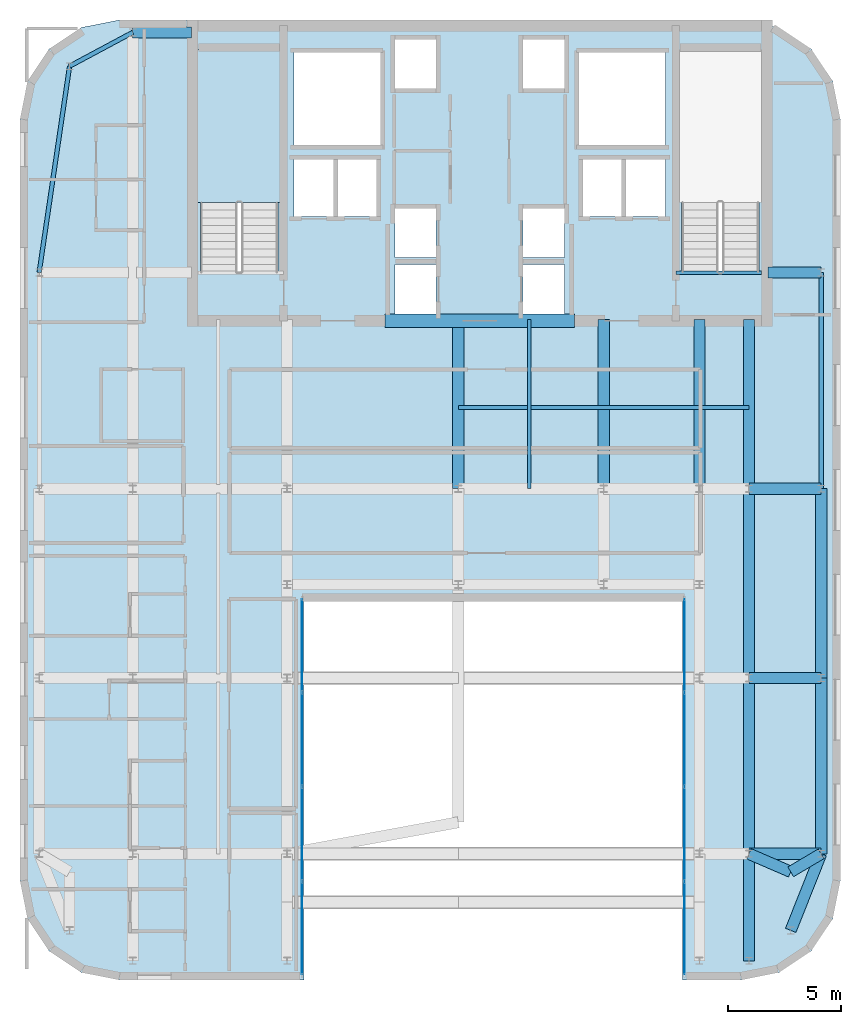
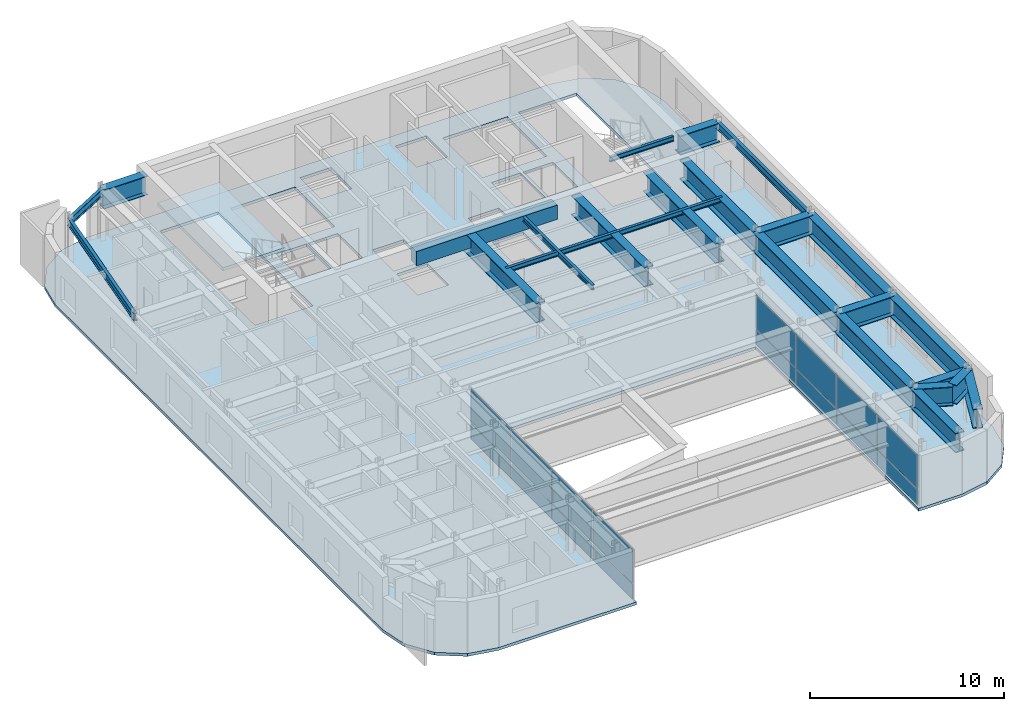
# One storey, part 15 of 21: 24 beams, 16 plates, 2 slabs, 3 elements without a shape of their own.
"""IFC4 building model written with IfcOpenShell, lengths in metres."""

import ifcopenshell
import ifcopenshell.guid

model = None  # the IFC model being written
_history = None  # IfcOwnerHistory: only IFC2X3 demands one
_inside = {}  # id of a spatial element -> (the spatial element, [elements in it])
_under = {}  # id of a project, library or spatial element -> (it, [spatial elements below it])
_declared = {}  # id of a project -> (the project, [libraries it declares])
_typed = {}  # id of a type object -> (the type object, [elements of that type])
_made_of = {}  # id of a material, layer set ... -> (it, [elements and type objects made of it])


def new_model(schema):
    """Start an empty IFC model of exactly this schema.

    Asked for "IFC4X3", IfcOpenShell would pick the latest addendum, in which some entities
    have other attributes; the version numbers below select the first issue.
    IFC2X3 requires an IfcOwnerHistory on every rooted entity: one is made here for all.
    """
    global model, _history
    if schema == "IFC4X3":
        model = ifcopenshell.file(schema_version=(4, 3, 0, 0))
    else:
        model = ifcopenshell.file(schema=schema)
    _inside.clear()
    _under.clear()
    _declared.clear()
    _typed.clear()
    _made_of.clear()
    _history = None
    if model.schema == "IFC2X3":
        org = make("IfcOrganization", Name="unknown")
        user = make(
            "IfcPersonAndOrganization",
            ThePerson=make("IfcPerson", FamilyName="unknown"),
            TheOrganization=org,
        )
        app = make(
            "IfcApplication",
            ApplicationDeveloper=org,
            Version="unknown",
            ApplicationFullName="unknown",
            ApplicationIdentifier="unknown",
        )
        _history = make(
            "IfcOwnerHistory",
            OwningUser=user,
            OwningApplication=app,
            ChangeAction="ADDED",
            CreationDate=0,
        )
    return model


def make(cls, **values):
    """One entity of the class cls with the attributes given. An attribute that is None is left unset."""
    return model.create_entity(
        cls, **{name: value for name, value in values.items() if value is not None}
    )


def rooted(cls, **values):
    """An entity with a GlobalId (a new one), such as an element, a storey or a relation."""
    return make(cls, GlobalId=ifcopenshell.guid.new(), OwnerHistory=_history, **values)


def si_unit(unit_type, name, prefix=None):
    """IfcSIUnit, for example si_unit("LENGTHUNIT", "METRE", prefix="MILLI")."""
    return make("IfcSIUnit", UnitType=unit_type, Prefix=prefix, Name=name)


def assignment(units):
    """IfcUnitAssignment: the units of a project."""
    return None if units is None else make("IfcUnitAssignment", Units=units)


def point(xyz):
    """IfcCartesianPoint."""
    return None if xyz is None else make("IfcCartesianPoint", Coordinates=xyz)


def direction(xyz):
    """IfcDirection."""
    return None if xyz is None else make("IfcDirection", DirectionRatios=xyz)


def frame(location, z_axis=None, x_axis=None):
    """IfcAxis2Placement3D, a coordinate frame: its origin and axes. An axis left out is left unset."""
    return make(
        "IfcAxis2Placement3D",
        Location=point(location),
        Axis=direction(z_axis),
        RefDirection=direction(x_axis),
    )


def frame_2d(location, x_axis=None):
    """IfcAxis2Placement2D, a coordinate frame in the plane: its origin and x axis."""
    return make(
        "IfcAxis2Placement2D", Location=point(location), RefDirection=direction(x_axis)
    )


def origin():
    """The frame at (0, 0, 0) with its axes left unset."""
    return frame((0.0, 0.0, 0.0))


def origin_2d():
    """The frame at (0, 0) in the plane with its x axis left unset."""
    return frame_2d((0.0, 0.0))


def place(relative_to, where):
    """IfcLocalPlacement: puts the frame where relative to a parent placement (None: the world)."""
    return make(
        "IfcLocalPlacement", PlacementRelTo=relative_to, RelativePlacement=where
    )


def context(
    kind, dimensions, precision=None, world=None, true_north=None, identifier=None
):
    """IfcGeometricRepresentationContext, for example the 3D "Model" context."""
    return make(
        "IfcGeometricRepresentationContext",
        ContextIdentifier=identifier,
        ContextType=kind,
        CoordinateSpaceDimension=dimensions,
        Precision=precision,
        WorldCoordinateSystem=world,
        TrueNorth=true_north,
    )


def subcontext(parent, identifier, kind, view, scale=None):
    """IfcGeometricRepresentationSubContext, for example "Body" below "Model"."""
    return make(
        "IfcGeometricRepresentationSubContext",
        ContextIdentifier=identifier,
        ContextType=kind,
        ParentContext=parent,
        TargetScale=scale,
        TargetView=view,
    )


def project(units=None, contexts=None):
    """IfcProject with its units and contexts."""
    return rooted(
        "IfcProject",
        Name="project",
        RepresentationContexts=contexts,
        UnitsInContext=assignment(units),
    )


def spatial(cls, under=None, at=None, **own):
    """A site, building, storey or space (cls), placed at a placement, below another one or the project."""
    s = rooted(cls, ObjectPlacement=at, **own)
    if under is not None:
        _under.setdefault(under.id(), (under, []))[1].append(s)
    return s


def polyline(points):
    """IfcPolyline through the points."""
    return make("IfcPolyline", Points=[point(p) for p in points])


def profile(cls, at=None, kind="AREA", **sizes):
    """A parametric profile (cls). Its sizes go by their IFC names, for example OverallWidth=200.0."""
    return make(cls, ProfileType=kind, Position=at, **sizes)


def rectangle(**sizes):
    """IfcRectangleProfileDef."""
    return profile("IfcRectangleProfileDef", **sizes)


def i_section(**sizes):
    """IfcIShapeProfileDef."""
    return profile("IfcIShapeProfileDef", **sizes)


def outline(outer, holes=None, kind="AREA"):
    """IfcArbitraryClosedProfileDef: a profile drawn as a closed curve; with holes, ...WithVoids."""
    if holes is None:
        return make("IfcArbitraryClosedProfileDef", ProfileType=kind, OuterCurve=outer)
    return make(
        "IfcArbitraryProfileDefWithVoids",
        ProfileType=kind,
        OuterCurve=outer,
        InnerCurves=holes,
    )


def extrude(swept, where, along, depth):
    """IfcExtrudedAreaSolid: the profile swept, set in the frame where, extruded along a direction by depth."""
    return make(
        "IfcExtrudedAreaSolid",
        SweptArea=swept,
        Position=where,
        ExtrudedDirection=direction(along),
        Depth=depth,
    )


def shape(context_of_items, identifier, shape_type, items):
    """IfcShapeRepresentation: the items that make up one representation, for example the "Body"."""
    return make(
        "IfcShapeRepresentation",
        ContextOfItems=context_of_items,
        RepresentationIdentifier=identifier,
        RepresentationType=shape_type,
        Items=items,
    )


def source(mapping_origin, context_of_items, identifier, shape_type, items):
    """IfcRepresentationMap: a shape defined once, which mapped items show again and again."""
    return make(
        "IfcRepresentationMap",
        MappingOrigin=mapping_origin,
        MappedRepresentation=shape(context_of_items, identifier, shape_type, items),
    )


def transform(
    local_origin,
    x_axis=None,
    y_axis=None,
    z_axis=None,
    scale=None,
    scale2=None,
    scale3=None,
    uniform=True,
):
    """IfcCartesianTransformationOperator3D, or its non-uniform kind. x_axis, y_axis, z_axis: its Axis1, 2, 3."""
    if uniform:
        return make(
            "IfcCartesianTransformationOperator3D",
            Axis1=direction(x_axis),
            Axis2=direction(y_axis),
            LocalOrigin=point(local_origin),
            Scale=scale,
            Axis3=direction(z_axis),
        )
    return make(
        "IfcCartesianTransformationOperator3DnonUniform",
        Axis1=direction(x_axis),
        Axis2=direction(y_axis),
        LocalOrigin=point(local_origin),
        Scale=scale,
        Axis3=direction(z_axis),
        Scale2=scale2,
        Scale3=scale3,
    )


def mapped(mapping_source, mapping_target):
    """IfcMappedItem: shows the shape of a source again, moved by a transform."""
    return make(
        "IfcMappedItem", MappingSource=mapping_source, MappingTarget=mapping_target
    )


def material(Name=None, Category=None):
    """IfcMaterial."""
    return make("IfcMaterial", Name=Name, Category=Category)


def layer(
    of_material, thickness, ventilated=None, Name=None, Category=None, Priority=None
):
    """IfcMaterialLayer: one layer of a wall or slab, of a material (None: an air gap)."""
    return make(
        "IfcMaterialLayer",
        Material=of_material,
        LayerThickness=thickness,
        IsVentilated=ventilated,
        Name=Name,
        Category=Category,
        Priority=Priority,
    )


def layer_set(layers, Name=None):
    """IfcMaterialLayerSet."""
    return make("IfcMaterialLayerSet", MaterialLayers=layers, LayerSetName=Name)


def material_profile(
    of_material, cross_section, Name=None, Category=None, Priority=None
):
    """IfcMaterialProfile: a cross section and its material."""
    return make(
        "IfcMaterialProfile",
        Name=Name,
        Material=of_material,
        Profile=cross_section,
        Priority=Priority,
        Category=Category,
    )


def profile_set(profiles, Name=None, composite=None):
    """IfcMaterialProfileSet."""
    return make(
        "IfcMaterialProfileSet",
        Name=Name,
        MaterialProfiles=profiles,
        CompositeProfile=composite,
    )


def made_of(thing, what):
    """Note that an element or type object is made of a material, layer set ...; save() writes the relation."""
    if what is not None:
        _made_of.setdefault(what.id(), (what, []))[1].append(thing)
    return thing


def type_object(cls, material=None, **own):
    """A type object (cls), such as IfcWallType, which elements share."""
    return made_of(rooted(cls, **own), material)


def type_shapes(of_type, sources):
    """Give a type object the sources (RepresentationMaps) that its elements show as mapped items."""
    of_type.RepresentationMaps = sources


def element(
    cls,
    number,
    at=None,
    inside=None,
    cuts=None,
    type_object=None,
    material=None,
    context=None,
    identifier="Body",
    shape_type=None,
    held_by="IfcProductDefinitionShape",
    body=None,
    shapes=None,
    **own,
):
    """One element of the class cls, such as IfcWall. Its Tag is "e" and its number.

    at: its placement. inside: the storey or other place that contains it. cuts: it is an
    opening in that element (IfcRelVoidsElement). A single representation is given by context,
    identifier, shape_type and body (its items); several are given by shapes. held_by: the class
    of the entity that holds the representations. save() writes the other relations.
    """
    e = rooted(cls, Tag="e%d" % number, ObjectPlacement=at, **own)
    if body is not None:
        shapes = [shape(context, identifier, shape_type, body)]
    if shapes is not None:
        e.Representation = make(held_by, Representations=shapes)
    if inside is not None:
        _inside.setdefault(inside.id(), (inside, []))[1].append(e)
    if cuts is not None:
        rooted(
            "IfcRelVoidsElement", RelatingBuildingElement=cuts, RelatedOpeningElement=e
        )
    if type_object is not None:
        _typed.setdefault(type_object.id(), (type_object, []))[1].append(e)
    return made_of(e, material)


def aggregate(whole, parts):
    """IfcRelAggregates: a whole, such as a stair, and the parts it consists of."""
    return rooted("IfcRelAggregates", RelatingObject=whole, RelatedObjects=parts)


def save(model, path):
    """Write the relations noted so far, then the file.

    IfcRelAggregates (storeys below a building ...), IfcRelContainedInSpatialStructure (elements
    in a storey), IfcRelDefinesByType, IfcRelAssociatesMaterial and IfcRelDeclares: one each for
    every whole, place, type object, material and project.
    """
    for whole, parts in _under.values():
        aggregate(whole, parts)
    for where, things in _inside.values():
        rooted(
            "IfcRelContainedInSpatialStructure",
            RelatedElements=things,
            RelatingStructure=where,
        )
    for kind, things in _typed.values():
        rooted("IfcRelDefinesByType", RelatedObjects=things, RelatingType=kind)
    for what, things in _made_of.values():
        rooted("IfcRelAssociatesMaterial", RelatedObjects=things, RelatingMaterial=what)
    for by, libraries in _declared.values():
        rooted("IfcRelDeclares", RelatingContext=by, RelatedDefinitions=libraries)
    model.write(path)


model = new_model("IFC4")

# Units and contexts
model_context = context("Model", 3, precision=1e-05, world=origin(), true_north=direction((0.0, 1.0)))
body_context = subcontext(model_context, "Body", "Model", "MODEL_VIEW")
ifc_project = project(units=[si_unit("LENGTHUNIT", "METRE"), si_unit("AREAUNIT", "SQUARE_METRE"), si_unit("VOLUMEUNIT", "CUBIC_METRE"), si_unit("PLANEANGLEUNIT", "RADIAN"), si_unit("MASSUNIT", "GRAM", prefix="KILO")], contexts=[model_context])

# Site, building, storey
site_placement = place(None, origin())
site = spatial("IfcSite", under=ifc_project, at=site_placement, CompositionType="ELEMENT")
building_placement = place(site_placement, origin())
building = spatial("IfcBuilding", under=site, at=building_placement, Name="Tolvann Quenvar Hotel", CompositionType="ELEMENT")
storey_placement = place(building_placement, frame((0.0, 0.0, 266.5)))
storey = spatial("IfcBuildingStorey", under=building, at=storey_placement, Name="L71", CompositionType="ELEMENT", Elevation=266.5)

# Beams
ifc_material_1 = material(Name="Concrete N50 (50 MPa)", Category="concrete")
ifc_material_profile_1 = material_profile(ifc_material_1, rectangle(XDim=0.60009765625, YDim=0.89990234375, at=origin_2d()), Name="RC600x900")
ifc_profile_set_1 = profile_set([ifc_material_profile_1], Name="Concrete N50 (50 MPa)")
beam_type_1 = type_object("IfcBeamType", Name="BM_LINT_RC600x900", PredefinedType="LINTEL", material=ifc_profile_set_1)
shared_shape_1 = source(origin(), body_context, "Body", "SweptSolid", [
    extrude(rectangle(XDim=0.60009765625, YDim=0.89990234375, at=origin_2d()), origin(), (0.0, 0.0, 1.0), 8.39990234375),
])
type_shapes(beam_type_1, [shared_shape_1])
beam_1_placement = place(storey_placement, frame((18.800048828125, 31.85009765625, 2.800048828125), z_axis=(1.0, 0.0, 0.0), x_axis=(0.0, 1.0, 0.0)))
element("IfcBeam", 1, at=beam_1_placement, inside=storey, type_object=beam_type_1, Name="Core Coupling Lintel Beam (L71)", PredefinedType="LINTEL", context=body_context, shape_type="MappedRepresentation", body=[
    mapped(shared_shape_1, transform((0.0, 0.0, 0.0), x_axis=(1.0, 0.0, 0.0), y_axis=(0.0, 1.0, 0.0), z_axis=(0.0, 0.0, 1.0), scale=1.0)),
])
ifc_material_2 = material(Name="Steel Grade 350", Category="steel")
ifc_material_profile_2 = material_profile(ifc_material_2, i_section(OverallWidth=0.5, OverallDepth=1.199951171875, WebThickness=0.01611328125, FlangeThickness=0.0400390625, at=origin_2d()), Name="1200WB455")
ifc_profile_set_2 = profile_set([ifc_material_profile_2], Name="Steel Grade 350")
beam_type_2 = type_object("IfcBeamType", Name="BM_TG_1200WB455", PredefinedType="USERDEFINED", material=ifc_profile_set_2)
shared_shape_2 = source(origin(), body_context, "Body", "SweptSolid", [
    extrude(i_section(OverallWidth=0.5, OverallDepth=1.199951171875, WebThickness=0.01611328125, FlangeThickness=0.0400390625, at=origin_2d()), origin(), (0.0, 0.0, 1.0), 7.5),
])
for number, where, z_axis, x_axis, name in (
    (2, (22.050048828125, 24.39990234375, 2.64990234375), (0.0, 1.0, 0.0), (-1.0, 0.0, 0.0), "BM-L71-CORE-E5"),
    (3, (34.949951171875, 24.39990234375, 2.64990234375), (0.0, 1.0, 0.0), (-1.0, 0.0, 0.0), "BM-L71-CORE-F5"),
    (4, (32.75, 24.39990234375, 2.64990234375), (0.0, 1.0, 0.0), (-1.0, 0.0, 0.0), "BM-L71-CORE-FP5"),
    (5, (28.5, 24.39990234375, 2.64990234375), (0.0, 1.0, 0.0), (-1.0, 0.0, 0.0), "BM-L71-CORE-M5"),
):
    element("IfcBeam", number, at=place(storey_placement, frame(where, z_axis=z_axis, x_axis=x_axis)), inside=storey, type_object=beam_type_2, Name=name, ObjectType="TRANSFER GIRDER", PredefinedType="USERDEFINED", context=body_context, shape_type="MappedRepresentation", body=[
        mapped(shared_shape_2, transform((0.0, 0.0, 0.0), x_axis=(1.0, 0.0, 0.0), y_axis=(0.0, 1.0, 0.0), z_axis=(0.0, 0.0, 1.0), scale=1.0)),
    ])
shared_shape_3 = source(origin(), body_context, "Body", "SweptSolid", [
    extrude(i_section(OverallWidth=0.5, OverallDepth=1.199951171875, WebThickness=0.01611328125, FlangeThickness=0.0400390625, at=origin_2d()), origin(), (0.0, 0.0, 1.0), 2.599853515625),
])
beam_2_placement = place(storey_placement, frame((7.60009765625, 44.64990234375, 2.64990234375), z_axis=(1.0, 0.0, 0.0), x_axis=(0.0, 1.0, 0.0)))
element("IfcBeam", 6, at=beam_2_placement, inside=storey, type_object=beam_type_2, Name="BM-L71-CTW-CN", ObjectType="TRANSFER GIRDER", PredefinedType="USERDEFINED", context=body_context, shape_type="MappedRepresentation", body=[
    mapped(shared_shape_3, transform((0.0, 0.0, 0.0), x_axis=(1.0, 0.0, 0.0), y_axis=(0.0, 1.0, 0.0), z_axis=(0.0, 0.0, 1.0), scale=1.0)),
])
ifc_material_profile_3 = material_profile(ifc_material_2, i_section(OverallWidth=0.166015625, OverallDepth=0.306884765625, WebThickness=0.006591796875, FlangeThickness=0.01171875, FilletRadius=0.011474609375, at=origin_2d()), Name="310UB46")
ifc_profile_set_3 = profile_set([ifc_material_profile_3], Name="Steel Grade 350")
beam_type_3 = type_object("IfcBeamType", Name="BM_JOIST_310UB46", PredefinedType="JOIST", material=ifc_profile_set_3)
shared_shape_4 = source(origin(), body_context, "Body", "SweptSolid", [
    extrude(i_section(OverallWidth=0.166015625, OverallDepth=0.306884765625, WebThickness=0.006591796875, FlangeThickness=0.01171875, FilletRadius=0.011474609375, at=origin_2d()), origin(), (0.0, 0.0, 1.0), 3.800048828125),
])
beam_3_placement = place(storey_placement, frame((31.699951171875, 33.97998046875, 3.096435546875), z_axis=(1.0, 0.0, 0.0), x_axis=(0.0, 1.0, 0.0)))
element("IfcBeam", 7, at=beam_3_placement, inside=storey, type_object=beam_type_3, Name="BM-HDR-STC2-L72", PredefinedType="JOIST", context=body_context, shape_type="MappedRepresentation", body=[
    mapped(shared_shape_4, transform((0.0, 0.0, 0.0), x_axis=(1.0, 0.0, 0.0), y_axis=(0.0, 1.0, 0.0), z_axis=(0.0, 0.0, 1.0), scale=1.0)),
])
shared_shape_5 = source(origin(), body_context, "Body", "SweptSolid", [
    extrude(i_section(OverallWidth=0.5, OverallDepth=1.199951171875, WebThickness=0.01611328125, FlangeThickness=0.0400390625, at=origin_2d()), origin(), (0.0, 0.0, 1.0), 7.800048828125),
])
for number, where, z_axis, x_axis, name in (
    (8, (34.949951171875, 8.199951171875, 2.64990234375), (0.0, 1.0, 0.0), (-1.0, 0.0, 0.0), "Setback Transfer Girder L71-F3"),
    (9, (38.14990234375, 8.199951171875, 2.64990234375), (0.0, 1.0, 0.0), (-1.0, 0.0, 0.0), "Setback Transfer Girder L71-G3"),
):
    element("IfcBeam", number, at=place(storey_placement, frame(where, z_axis=z_axis, x_axis=x_axis)), inside=storey, type_object=beam_type_2, Name=name, ObjectType="TRANSFER GIRDER", PredefinedType="USERDEFINED", context=body_context, shape_type="MappedRepresentation", body=[
        mapped(shared_shape_5, transform((0.0, 0.0, 0.0), x_axis=(1.0, 0.0, 0.0), y_axis=(0.0, 1.0, 0.0), z_axis=(0.0, 0.0, 1.0), scale=1.0)),
    ])
shared_shape_6 = source(origin(), body_context, "Body", "SweptSolid", [
    extrude(i_section(OverallWidth=0.5, OverallDepth=1.199951171875, WebThickness=0.01611328125, FlangeThickness=0.0400390625, at=origin_2d()), origin(), (0.0, 0.0, 1.0), 8.39990234375),
])
for number, where, z_axis, x_axis, name in (
    (10, (34.949951171875, 16.0, 2.64990234375), (0.0, 1.0, 0.0), (-1.0, 0.0, 0.0), "BM-L71-NS-F4-F5"),
    (11, (38.14990234375, 16.0, 2.64990234375), (0.0, 1.0, 0.0), (-1.0, 0.0, 0.0), "BM-L71-NS-G4-G5"),
):
    element("IfcBeam", number, at=place(storey_placement, frame(where, z_axis=z_axis, x_axis=x_axis)), inside=storey, type_object=beam_type_2, Name=name, ObjectType="TRANSFER GIRDER", PredefinedType="USERDEFINED", context=body_context, shape_type="MappedRepresentation", body=[
        mapped(shared_shape_6, transform((0.0, 0.0, 0.0), x_axis=(1.0, 0.0, 0.0), y_axis=(0.0, 1.0, 0.0), z_axis=(0.0, 0.0, 1.0), scale=1.0)),
    ])
shared_shape_7 = source(origin(), body_context, "Body", "SweptSolid", [
    extrude(i_section(OverallWidth=0.5, OverallDepth=1.199951171875, WebThickness=0.01611328125, FlangeThickness=0.0400390625, at=origin_2d()), origin(), (0.0, 0.0, 1.0), 4.75),
])
beam_4_placement = place(storey_placement, frame((34.949951171875, 3.449951171875, 2.64990234375), z_axis=(0.0, 1.0, 0.0), x_axis=(-1.0, 0.0, 0.0)))
element("IfcBeam", 12, at=beam_4_placement, inside=storey, type_object=beam_type_2, Name="Setback Transfer Girder L71-F2", ObjectType="TRANSFER GIRDER", PredefinedType="USERDEFINED", context=body_context, shape_type="MappedRepresentation", body=[
    mapped(shared_shape_7, transform((0.0, 0.0, 0.0), x_axis=(1.0, 0.0, 0.0), y_axis=(0.0, 1.0, 0.0), z_axis=(0.0, 0.0, 1.0), scale=1.0)),
])
ifc_material_profile_4 = material_profile(ifc_material_2, i_section(OverallWidth=0.19091796875, OverallDepth=0.4599609375, WebThickness=0.010009765625, FlangeThickness=0.01611328125, FilletRadius=0.011474609375, at=origin_2d()), Name="460UB82")
ifc_profile_set_4 = profile_set([ifc_material_profile_4], Name="Steel Grade 350")
beam_type_4 = type_object("IfcBeamType", Name="BM_SPAND_460UB82", PredefinedType="SPANDREL", material=ifc_profile_set_4)
shared_shape_8 = source(origin(), body_context, "Body", "SweptSolid", [
    extrude(i_section(OverallWidth=0.19091796875, OverallDepth=0.4599609375, WebThickness=0.010009765625, FlangeThickness=0.01611328125, FilletRadius=0.011474609375, at=origin_2d()), origin(), (0.0, 0.0, 1.0), 9.60009765625),
])
beam_5_placement = place(storey_placement, frame((38.14990234375, 24.39990234375, 3.02001953125), z_axis=(0.0, 1.0, 0.0), x_axis=(-1.0, 0.0, 0.0)))
element("IfcBeam", 13, at=beam_5_placement, inside=storey, type_object=beam_type_4, Name="BM-L71-FLK-G1", PredefinedType="SPANDREL", context=body_context, shape_type="MappedRepresentation", body=[
    mapped(shared_shape_8, transform((0.0, 0.0, 0.0), x_axis=(1.0, 0.0, 0.0), y_axis=(0.0, 1.0, 0.0), z_axis=(0.0, 0.0, 1.0), scale=1.0)),
])
shared_shape_9 = source(origin(), body_context, "Body", "SweptSolid", [
    extrude(i_section(OverallWidth=0.5, OverallDepth=1.199951171875, WebThickness=0.01611328125, FlangeThickness=0.0400390625, at=origin_2d()), origin(), (0.0, 0.0, 1.0), 3.657958984375),
])
beam_6_placement = place(storey_placement, frame((36.800048828125, 4.800048828125, 2.64990234375), z_axis=(0.369007513371, 0.929426411867, 0.0), x_axis=(-0.929426411867, 0.369007513371, 0.0)))
element("IfcBeam", 14, at=beam_6_placement, inside=storey, type_object=beam_type_2, Name="BM-L71-NS-G2-G3", ObjectType="TRANSFER GIRDER", PredefinedType="USERDEFINED", context=body_context, shape_type="MappedRepresentation", body=[
    mapped(shared_shape_9, transform((0.0, 0.0, 0.0), x_axis=(1.0, 0.0, 0.0), y_axis=(0.0, 1.0, 0.0), z_axis=(0.0, 0.0, 1.0), scale=1.0)),
])
shared_shape_10 = source(origin(), body_context, "Body", "SweptSolid", [
    extrude(i_section(OverallWidth=0.5, OverallDepth=1.199951171875, WebThickness=0.01611328125, FlangeThickness=0.0400390625, at=origin_2d()), origin(), (0.0, 0.0, 1.0), 3.199951171875),
])
for number, where, z_axis, x_axis, name in (
    (15, (34.949951171875, 8.199951171875, 2.64990234375), (1.0, 0.0, 0.0), (0.0, 1.0, 0.0), "BM-L71-EW-3-F3-G3"),
    (16, (34.949951171875, 16.0, 2.64990234375), (1.0, 0.0, 0.0), (0.0, 1.0, 0.0), "BM-L71-EW-4-F4-G4"),
    (17, (34.949951171875, 24.39990234375, 2.64990234375), (1.0, 0.0, 0.0), (0.0, 1.0, 0.0), "BM-L71-EW-5-F5-G5"),
):
    element("IfcBeam", number, at=place(storey_placement, frame(where, z_axis=z_axis, x_axis=x_axis)), inside=storey, type_object=beam_type_2, Name=name, ObjectType="TRANSFER GIRDER", PredefinedType="USERDEFINED", context=body_context, shape_type="MappedRepresentation", body=[
        mapped(shared_shape_10, transform((0.0, 0.0, 0.0), x_axis=(1.0, 0.0, 0.0), y_axis=(0.0, 1.0, 0.0), z_axis=(0.0, 0.0, 1.0), scale=1.0)),
    ])
shared_shape_11 = source(origin(), body_context, "Body", "SweptSolid", [
    extrude(i_section(OverallWidth=0.19091796875, OverallDepth=0.4599609375, WebThickness=0.010009765625, FlangeThickness=0.01611328125, FilletRadius=0.011474609375, at=origin_2d()), origin(), (0.0, 0.0, 1.0), 9.2490234375),
])
beam_7_placement = place(storey_placement, frame((3.449951171875, 34.0, 3.02001953125), z_axis=(0.145972731602, 0.989288613918, 0.0), x_axis=(-0.989288613918, 0.145972731602, 0.0)))
element("IfcBeam", 18, at=beam_7_placement, inside=storey, type_object=beam_type_4, Name="BM-L71-FLK-W2", PredefinedType="SPANDREL", context=body_context, shape_type="MappedRepresentation", body=[
    mapped(shared_shape_11, transform((0.0, 0.0, 0.0), x_axis=(1.0, 0.0, 0.0), y_axis=(0.0, 1.0, 0.0), z_axis=(0.0, 0.0, 1.0), scale=1.0)),
])
shared_shape_12 = source(origin(), body_context, "Body", "SweptSolid", [
    extrude(i_section(OverallWidth=0.19091796875, OverallDepth=0.4599609375, WebThickness=0.010009765625, FlangeThickness=0.01611328125, FilletRadius=0.011474609375, at=origin_2d()), origin(), (0.0, 0.0, 1.0), 3.176513671875),
])
type_shapes(beam_type_4, [shared_shape_8, shared_shape_11, shared_shape_12])
beam_8_placement = place(storey_placement, frame((4.800048828125, 43.14990234375, 3.02001953125), z_axis=(0.881483397762, 0.472215014025, 0.0), x_axis=(-0.472215014025, 0.881483397762, 0.0)))
element("IfcBeam", 19, at=beam_8_placement, inside=storey, type_object=beam_type_4, Name="BM-L71-FLK-W3", PredefinedType="SPANDREL", context=body_context, shape_type="MappedRepresentation", body=[
    mapped(shared_shape_12, transform((0.0, 0.0, 0.0), x_axis=(1.0, 0.0, 0.0), y_axis=(0.0, 1.0, 0.0), z_axis=(0.0, 0.0, 1.0), scale=1.0)),
])
shared_shape_13 = source(origin(), body_context, "Body", "SweptSolid", [
    extrude(i_section(OverallWidth=0.5, OverallDepth=1.199951171875, WebThickness=0.01611328125, FlangeThickness=0.0400390625, at=origin_2d()), origin(), (0.0, 0.0, 1.0), 2.349853515625),
])
beam_9_placement = place(storey_placement, frame((35.800048828125, 34.0, 2.64990234375), z_axis=(1.0, 0.0, 0.0), x_axis=(0.0, 1.0, 0.0)))
element("IfcBeam", 20, at=beam_9_placement, inside=storey, type_object=beam_type_2, Name="BM-L71-CTE-GD6", ObjectType="TRANSFER GIRDER", PredefinedType="USERDEFINED", context=body_context, shape_type="MappedRepresentation", body=[
    mapped(shared_shape_13, transform((0.0, 0.0, 0.0), x_axis=(1.0, 0.0, 0.0), y_axis=(0.0, 1.0, 0.0), z_axis=(0.0, 0.0, 1.0), scale=1.0)),
])
shared_shape_14 = source(origin(), body_context, "Body", "SweptSolid", [
    extrude(i_section(OverallWidth=0.166015625, OverallDepth=0.306884765625, WebThickness=0.006591796875, FlangeThickness=0.01171875, FilletRadius=0.011474609375, at=origin_2d()), origin(), (0.0, 0.0, 1.0), 12.89990234375),
])
beam_10_placement = place(storey_placement, frame((22.050048828125, 28.0, 3.096435546875), z_axis=(1.0, 0.0, 0.0), x_axis=(0.0, 1.0, 0.0)))
element("IfcBeam", 21, at=beam_10_placement, inside=storey, type_object=beam_type_3, Name="BM-L71-SPINE-28", PredefinedType="JOIST", context=body_context, shape_type="MappedRepresentation", body=[
    mapped(shared_shape_14, transform((0.0, 0.0, 0.0), x_axis=(1.0, 0.0, 0.0), y_axis=(0.0, 1.0, 0.0), z_axis=(0.0, 0.0, 1.0), scale=1.0)),
])
shared_shape_15 = source(origin(), body_context, "Body", "SweptSolid", [
    extrude(i_section(OverallWidth=0.166015625, OverallDepth=0.306884765625, WebThickness=0.006591796875, FlangeThickness=0.01171875, FilletRadius=0.011474609375, at=origin_2d()), origin(), (0.0, 0.0, 1.0), 7.5),
])
type_shapes(beam_type_3, [shared_shape_4, shared_shape_14, shared_shape_15])
beam_11_placement = place(storey_placement, frame((25.199951171875, 24.39990234375, 3.096435546875), z_axis=(0.0, 1.0, 0.0), x_axis=(-1.0, 0.0, 0.0)))
element("IfcBeam", 22, at=beam_11_placement, inside=storey, type_object=beam_type_3, Name="BJ-L71-252-244", PredefinedType="JOIST", context=body_context, shape_type="MappedRepresentation", body=[
    mapped(shared_shape_15, transform((0.0, 0.0, 0.0), x_axis=(1.0, 0.0, 0.0), y_axis=(0.0, 1.0, 0.0), z_axis=(0.0, 0.0, 1.0), scale=1.0)),
])
shared_shape_16 = source(origin(), body_context, "Body", "SweptSolid", [
    extrude(i_section(OverallWidth=0.5, OverallDepth=1.199951171875, WebThickness=0.01611328125, FlangeThickness=0.0400390625, at=origin_2d()), origin(), (0.0, 0.0, 1.0), 1.569091796875),
])
beam_12_placement = place(storey_placement, frame((38.14990234375, 8.199951171875, 2.64990234375), z_axis=(-0.860253621156, -0.509866362186, 0.0), x_axis=(0.509866362186, -0.860253621156, 0.0)))
element("IfcBeam", 23, at=beam_12_placement, inside=storey, type_object=beam_type_2, Name="TG-AUTO1-L71-G2-8", ObjectType="TRANSFER GIRDER", PredefinedType="USERDEFINED", context=body_context, shape_type="MappedRepresentation", body=[
    mapped(shared_shape_16, transform((0.0, 0.0, 0.0), x_axis=(1.0, 0.0, 0.0), y_axis=(0.0, 1.0, 0.0), z_axis=(0.0, 0.0, 1.0), scale=1.0)),
])
shared_shape_17 = source(origin(), body_context, "Body", "SweptSolid", [
    extrude(i_section(OverallWidth=0.5, OverallDepth=1.199951171875, WebThickness=0.01611328125, FlangeThickness=0.0400390625, at=origin_2d()), origin(), (0.0, 0.0, 1.0), 2.015625),
])
type_shapes(beam_type_2, [shared_shape_2, shared_shape_3, shared_shape_5, shared_shape_6, shared_shape_7, shared_shape_9, shared_shape_10, shared_shape_13, shared_shape_16, shared_shape_17])
beam_13_placement = place(storey_placement, frame((36.800048828125, 7.39990234375, 2.64990234375), z_axis=(-0.917855843379, 0.396913908518, 0.0), x_axis=(-0.396913908518, -0.917855843379, 0.0)))
element("IfcBeam", 24, at=beam_13_placement, inside=storey, type_object=beam_type_2, Name="TG-AUTO2-L71-G2-8", ObjectType="TRANSFER GIRDER", PredefinedType="USERDEFINED", context=body_context, shape_type="MappedRepresentation", body=[
    mapped(shared_shape_17, transform((0.0, 0.0, 0.0), x_axis=(1.0, 0.0, 0.0), y_axis=(0.0, 1.0, 0.0), z_axis=(0.0, 0.0, 1.0), scale=1.0)),
])

# Stair, slab
ifc_material_3 = material(Name="Concrete N40 (40 MPa)", Category="concrete")
stair_type = type_object("IfcStairType", Name="STAIR", PredefinedType="HALF_TURN_STAIR", material=ifc_material_3)
stair_placement = place(storey_placement, origin())
stair = element("IfcStair", 25, at=stair_placement, inside=storey, type_object=stair_type, Name="L71 ST-C1", PredefinedType="HALF_TURN_STAIR")
ifc_layer_1 = layer(ifc_material_3, 0.199951171875)
ifc_layer_set_1 = layer_set([ifc_layer_1], Name="Concrete N40 (40 MPa)")
slab_type_1 = type_object("IfcSlabType", Name="SLAB_LANDING", PredefinedType="LANDING", material=ifc_layer_set_1)
slab_1_placement = place(storey_placement, frame((0.0, 0.0, 1.574951171875)))
slab_1 = element("IfcSlab", 26, at=slab_1_placement, type_object=slab_type_1, Name="ST-C1 landing 1", PredefinedType="LANDING", context=body_context, shape_type="SweptSolid", body=[
    extrude(outline(polyline([(14.179931640625, 37.10498046875), (14.179931640625, 43.8798828125), (10.469970703125, 43.8798828125), (10.469970703125, 37.10498046875), (14.179931640625, 37.10498046875)])), origin(), (0.0, 0.0, 1.0), 0.199951171875),
])
aggregate(stair, [slab_1])

# Slab
ifc_layer_2 = layer(ifc_material_3, 0.179931640625)
ifc_layer_set_2 = layer_set([ifc_layer_2], Name="Concrete N40 (40 MPa)")
slab_type_2 = type_object("IfcSlabType", Name="SLAB_TWR_180", PredefinedType="FLOOR", material=ifc_layer_set_2)
slab_2_placement = place(storey_placement, frame((0.0, 0.0, -0.179931640625)))
element("IfcSlab", 27, at=slab_2_placement, inside=storey, type_object=slab_type_2, Name="Level L71 Structural Floor Slab", PredefinedType="FLOOR", context=body_context, shape_type="SweptSolid", body=[
    extrude(outline(polyline([(2.60009765625, 7.0), (2.934814453125, 5.316162109375), (3.888671875, 3.888671875), (5.316162109375, 2.934814453125), (7.0, 2.60009765625), (15.199951171875, 2.60009765625), (15.199951171875, 19.39990234375), (32.0, 19.39990234375), (32.0, 2.60009765625), (34.60009765625, 2.60009765625), (36.28369140625, 2.934814453125), (37.711181640625, 3.888671875), (38.6650390625, 5.316162109375), (39.0, 7.0), (39.0, 40.800048828125), (38.6650390625, 42.48388671875), (37.711181640625, 43.911376953125), (36.28369140625, 44.864990234375), (34.60009765625, 45.199951171875), (7.0, 45.199951171875), (5.316162109375, 44.864990234375), (3.888671875, 43.911376953125), (2.934814453125, 42.48388671875), (2.60009765625, 40.800048828125), (2.60009765625, 7.0)]), holes=[polyline([(31.949951171875, 34.02490234375), (31.949951171875, 43.800048828125), (35.39990234375, 43.800048828125), (35.39990234375, 34.02490234375), (31.949951171875, 34.02490234375)]), polyline([(27.39990234375, 43.75), (31.25, 43.75), (31.25, 39.64990234375), (27.39990234375, 39.64990234375), (27.39990234375, 43.75)]), polyline([(29.449951171875, 39.02001953125), (31.25, 39.02001953125), (31.25, 36.47998046875), (29.449951171875, 36.47998046875), (29.449951171875, 39.02001953125)]), polyline([(27.574951171875, 39.02001953125), (29.324951171875, 39.02001953125), (29.324951171875, 36.47998046875), (27.574951171875, 36.47998046875), (27.574951171875, 39.02001953125)]), polyline([(24.929931640625, 36.840087890625), (26.77001953125, 36.840087890625), (26.77001953125, 34.659912109375), (24.929931640625, 34.659912109375), (24.929931640625, 36.840087890625)]), polyline([(24.929931640625, 44.340087890625), (26.77001953125, 44.340087890625), (26.77001953125, 42.159912109375), (24.929931640625, 42.159912109375), (24.929931640625, 44.340087890625)]), polyline([(24.929931640625, 32.159912109375), (24.929931640625, 34.340087890625), (26.77001953125, 34.340087890625), (26.77001953125, 32.159912109375), (24.929931640625, 32.159912109375)]), polyline([(19.22998046875, 36.840087890625), (21.070068359375, 36.840087890625), (21.070068359375, 34.659912109375), (19.22998046875, 34.659912109375), (19.22998046875, 36.840087890625)]), polyline([(19.22998046875, 44.340087890625), (21.070068359375, 44.340087890625), (21.070068359375, 42.159912109375), (19.22998046875, 42.159912109375), (19.22998046875, 44.340087890625)]), polyline([(19.22998046875, 32.159912109375), (19.22998046875, 34.340087890625), (21.070068359375, 34.340087890625), (21.070068359375, 32.159912109375), (19.22998046875, 32.159912109375)]), polyline([(14.75, 43.75), (18.60009765625, 43.75), (18.60009765625, 39.64990234375), (14.75, 39.64990234375), (14.75, 43.75)]), polyline([(16.675048828125, 39.02001953125), (18.425048828125, 39.02001953125), (18.425048828125, 36.47998046875), (16.675048828125, 36.47998046875), (16.675048828125, 39.02001953125)]), polyline([(14.75, 39.02001953125), (16.550048828125, 39.02001953125), (16.550048828125, 36.47998046875), (14.75, 36.47998046875), (14.75, 39.02001953125)]), polyline([(10.60009765625, 34.02490234375), (10.60009765625, 43.800048828125), (14.050048828125, 43.800048828125), (14.050048828125, 34.02490234375), (10.60009765625, 34.02490234375)])]), origin(), (0.0, 0.0, 1.0), 0.179931640625),
])

# Curtain wall, plates
ifc_material_4 = material(Name="Thermally broken anodised architectural aluminium 6063-T6 and laminated low-E glass", Category="aluminium")
ifc_layer_3 = layer(ifc_material_4, 0.179931640625)
ifc_layer_set_3 = layer_set([ifc_layer_3], Name="Thermally broken anodised architectural aluminium 6063-T6 and laminated low-E glass")
curtain_wall_type = type_object("IfcCurtainWallType", Name="CW_SYS_PORTAL_05", PredefinedType="USERDEFINED", material=ifc_layer_set_3)
curtain_wall_1_placement = place(storey_placement, origin())
curtain_wall_1 = element("IfcCurtainWall", 28, at=curtain_wall_1_placement, inside=storey, type_object=curtain_wall_type, Name="Curtain Wall CW-PORTAL-05 (CWR-L71-E05)", ObjectType="UNITISED CURTAIN WALL", PredefinedType="USERDEFINED")
ifc_material_5 = material(Name="Low-iron laminated double glazing with solar-control coating", Category="glass")
ifc_layer_4 = layer(ifc_material_5, 0.028076171875)
ifc_layer_set_4 = layer_set([ifc_layer_4], Name="Low-iron laminated double glazing with solar-control coating")
plate_type = type_object("IfcPlateType", Name="CW_PAN_VISION_28", PredefinedType="CURTAIN_PANEL", material=ifc_layer_set_4)
shared_shape_18 = source(origin(), body_context, "Body", "SweptSolid", [
    extrude(rectangle(XDim=4.094970703125, YDim=0.028076171875, at=origin_2d()), origin(), (0.0, 0.0, 1.0), 0.949951171875),
])
plate_1_placement = place(storey_placement, frame((15.110107421875, 4.892578125, 0.06005859375), z_axis=(0.0, 0.0, 1.0), x_axis=(0.0, 1.0, 0.0)))
plate_1 = element("IfcPlate", 29, at=plate_1_placement, type_object=plate_type, Name="CW-PORTAL-05 panel 1.1", PredefinedType="CURTAIN_PANEL", context=body_context, shape_type="MappedRepresentation", body=[
    mapped(shared_shape_18, transform((0.0, 0.0, 0.0), x_axis=(1.0, 0.0, 0.0), y_axis=(0.0, 1.0, 0.0), z_axis=(0.0, 0.0, 1.0), scale=1.0)),
])
plate_2_placement = place(storey_placement, frame((15.110107421875, 17.45751953125, 0.06005859375), z_axis=(0.0, 0.0, 1.0), x_axis=(0.0, 1.0, 0.0)))
plate_2 = element("IfcPlate", 30, at=plate_2_placement, type_object=plate_type, Name="CW-PORTAL-05 panel 4.1", PredefinedType="CURTAIN_PANEL", context=body_context, shape_type="MappedRepresentation", body=[
    mapped(shared_shape_18, transform((0.0, 0.0, 0.0), x_axis=(1.0, 0.0, 0.0), y_axis=(0.0, 1.0, 0.0), z_axis=(0.0, 0.0, 1.0), scale=1.0)),
])

curtain_wall_2_placement = place(storey_placement, origin())
curtain_wall_2 = element("IfcCurtainWall", 31, at=curtain_wall_2_placement, inside=storey, type_object=curtain_wall_type, Name="Curtain Wall CW-PORTAL-05 (CWR-L71-E07)", ObjectType="UNITISED CURTAIN WALL", PredefinedType="USERDEFINED")
plate_3_placement = place(storey_placement, frame((32.090087890625, 17.45751953125, 0.06005859375), z_axis=(0.0, 0.0, 1.0), x_axis=(0.0, -1.0, 0.0)))
plate_3 = element("IfcPlate", 32, at=plate_3_placement, type_object=plate_type, Name="CW-PORTAL-05 panel 1.1", PredefinedType="CURTAIN_PANEL", context=body_context, shape_type="MappedRepresentation", body=[
    mapped(shared_shape_18, transform((0.0, 0.0, 0.0), x_axis=(1.0, 0.0, 0.0), y_axis=(0.0, 1.0, 0.0), z_axis=(0.0, 0.0, 1.0), scale=1.0)),
])
plate_4_placement = place(storey_placement, frame((32.090087890625, 4.892578125, 0.06005859375), z_axis=(0.0, 0.0, 1.0), x_axis=(0.0, -1.0, 0.0)))
plate_4 = element("IfcPlate", 33, at=plate_4_placement, type_object=plate_type, Name="CW-PORTAL-05 panel 4.1", PredefinedType="CURTAIN_PANEL", context=body_context, shape_type="MappedRepresentation", body=[
    mapped(shared_shape_18, transform((0.0, 0.0, 0.0), x_axis=(1.0, 0.0, 0.0), y_axis=(0.0, 1.0, 0.0), z_axis=(0.0, 0.0, 1.0), scale=1.0)),
])

# Plate
shared_shape_19 = source(origin(), body_context, "Body", "SweptSolid", [
    extrude(rectangle(XDim=4.094970703125, YDim=0.028076171875, at=origin_2d()), origin(), (0.0, 0.0, 1.0), 2.1201171875),
])
plate_5_placement = place(storey_placement, frame((15.110107421875, 4.892578125, 1.06982421875), z_axis=(0.0, 0.0, 1.0), x_axis=(0.0, 1.0, 0.0)))
plate_5 = element("IfcPlate", 34, at=plate_5_placement, type_object=plate_type, Name="CW-PORTAL-05 panel 1.2", PredefinedType="CURTAIN_PANEL", context=body_context, shape_type="MappedRepresentation", body=[
    mapped(shared_shape_19, transform((0.0, 0.0, 0.0), x_axis=(1.0, 0.0, 0.0), y_axis=(0.0, 1.0, 0.0), z_axis=(0.0, 0.0, 1.0), scale=1.0)),
])

plate_6_placement = place(storey_placement, frame((15.110107421875, 17.45751953125, 1.06982421875), z_axis=(0.0, 0.0, 1.0), x_axis=(0.0, 1.0, 0.0)))
plate_6 = element("IfcPlate", 35, at=plate_6_placement, type_object=plate_type, Name="CW-PORTAL-05 panel 4.2", PredefinedType="CURTAIN_PANEL", context=body_context, shape_type="MappedRepresentation", body=[
    mapped(shared_shape_19, transform((0.0, 0.0, 0.0), x_axis=(1.0, 0.0, 0.0), y_axis=(0.0, 1.0, 0.0), z_axis=(0.0, 0.0, 1.0), scale=1.0)),
])

plate_7_placement = place(storey_placement, frame((32.090087890625, 17.45751953125, 1.06982421875), z_axis=(0.0, 0.0, 1.0), x_axis=(0.0, -1.0, 0.0)))
plate_7 = element("IfcPlate", 36, at=plate_7_placement, type_object=plate_type, Name="CW-PORTAL-05 panel 1.2", PredefinedType="CURTAIN_PANEL", context=body_context, shape_type="MappedRepresentation", body=[
    mapped(shared_shape_19, transform((0.0, 0.0, 0.0), x_axis=(1.0, 0.0, 0.0), y_axis=(0.0, 1.0, 0.0), z_axis=(0.0, 0.0, 1.0), scale=1.0)),
])

plate_8_placement = place(storey_placement, frame((32.090087890625, 4.892578125, 1.06982421875), z_axis=(0.0, 0.0, 1.0), x_axis=(0.0, -1.0, 0.0)))
plate_8 = element("IfcPlate", 37, at=plate_8_placement, type_object=plate_type, Name="CW-PORTAL-05 panel 4.2", PredefinedType="CURTAIN_PANEL", context=body_context, shape_type="MappedRepresentation", body=[
    mapped(shared_shape_19, transform((0.0, 0.0, 0.0), x_axis=(1.0, 0.0, 0.0), y_axis=(0.0, 1.0, 0.0), z_axis=(0.0, 0.0, 1.0), scale=1.0)),
])

shared_shape_20 = source(origin(), body_context, "Body", "SweptSolid", [
    extrude(rectangle(XDim=4.1298828125, YDim=0.028076171875, at=origin_2d()), origin(), (0.0, 0.0, 1.0), 0.949951171875),
])
plate_9_placement = place(storey_placement, frame((15.110107421875, 9.074951171875, 0.06005859375), z_axis=(0.0, 0.0, 1.0), x_axis=(0.0, 1.0, 0.0)))
plate_9 = element("IfcPlate", 38, at=plate_9_placement, type_object=plate_type, Name="CW-PORTAL-05 panel 2.1", PredefinedType="CURTAIN_PANEL", context=body_context, shape_type="MappedRepresentation", body=[
    mapped(shared_shape_20, transform((0.0, 0.0, 0.0), x_axis=(1.0, 0.0, 0.0), y_axis=(0.0, 1.0, 0.0), z_axis=(0.0, 0.0, 1.0), scale=1.0)),
])

plate_10_placement = place(storey_placement, frame((15.110107421875, 13.27490234375, 0.06005859375), z_axis=(0.0, 0.0, 1.0), x_axis=(0.0, 1.0, 0.0)))
plate_10 = element("IfcPlate", 39, at=plate_10_placement, type_object=plate_type, Name="CW-PORTAL-05 panel 3.1", PredefinedType="CURTAIN_PANEL", context=body_context, shape_type="MappedRepresentation", body=[
    mapped(shared_shape_20, transform((0.0, 0.0, 0.0), x_axis=(1.0, 0.0, 0.0), y_axis=(0.0, 1.0, 0.0), z_axis=(0.0, 0.0, 1.0), scale=1.0)),
])

plate_11_placement = place(storey_placement, frame((32.090087890625, 13.27490234375, 0.06005859375), z_axis=(0.0, 0.0, 1.0), x_axis=(0.0, -1.0, 0.0)))
plate_11 = element("IfcPlate", 40, at=plate_11_placement, type_object=plate_type, Name="CW-PORTAL-05 panel 2.1", PredefinedType="CURTAIN_PANEL", context=body_context, shape_type="MappedRepresentation", body=[
    mapped(shared_shape_20, transform((0.0, 0.0, 0.0), x_axis=(1.0, 0.0, 0.0), y_axis=(0.0, 1.0, 0.0), z_axis=(0.0, 0.0, 1.0), scale=1.0)),
])

plate_12_placement = place(storey_placement, frame((32.090087890625, 9.074951171875, 0.06005859375), z_axis=(0.0, 0.0, 1.0), x_axis=(0.0, -1.0, 0.0)))
plate_12 = element("IfcPlate", 41, at=plate_12_placement, type_object=plate_type, Name="CW-PORTAL-05 panel 3.1", PredefinedType="CURTAIN_PANEL", context=body_context, shape_type="MappedRepresentation", body=[
    mapped(shared_shape_20, transform((0.0, 0.0, 0.0), x_axis=(1.0, 0.0, 0.0), y_axis=(0.0, 1.0, 0.0), z_axis=(0.0, 0.0, 1.0), scale=1.0)),
])

shared_shape_21 = source(origin(), body_context, "Body", "SweptSolid", [
    extrude(rectangle(XDim=4.1298828125, YDim=0.028076171875, at=origin_2d()), origin(), (0.0, 0.0, 1.0), 2.1201171875),
])
type_shapes(plate_type, [shared_shape_18, shared_shape_19, shared_shape_20, shared_shape_21])
plate_13_placement = place(storey_placement, frame((15.110107421875, 9.074951171875, 1.06982421875), z_axis=(0.0, 0.0, 1.0), x_axis=(0.0, 1.0, 0.0)))
plate_13 = element("IfcPlate", 42, at=plate_13_placement, type_object=plate_type, Name="CW-PORTAL-05 panel 2.2", PredefinedType="CURTAIN_PANEL", context=body_context, shape_type="MappedRepresentation", body=[
    mapped(shared_shape_21, transform((0.0, 0.0, 0.0), x_axis=(1.0, 0.0, 0.0), y_axis=(0.0, 1.0, 0.0), z_axis=(0.0, 0.0, 1.0), scale=1.0)),
])

plate_14_placement = place(storey_placement, frame((15.110107421875, 13.27490234375, 1.06982421875), z_axis=(0.0, 0.0, 1.0), x_axis=(0.0, 1.0, 0.0)))
plate_14 = element("IfcPlate", 43, at=plate_14_placement, type_object=plate_type, Name="CW-PORTAL-05 panel 3.2", PredefinedType="CURTAIN_PANEL", context=body_context, shape_type="MappedRepresentation", body=[
    mapped(shared_shape_21, transform((0.0, 0.0, 0.0), x_axis=(1.0, 0.0, 0.0), y_axis=(0.0, 1.0, 0.0), z_axis=(0.0, 0.0, 1.0), scale=1.0)),
])

aggregate(curtain_wall_1, [plate_1, plate_5, plate_9, plate_13, plate_10, plate_14, plate_2, plate_6])

plate_15_placement = place(storey_placement, frame((32.090087890625, 13.27490234375, 1.06982421875), z_axis=(0.0, 0.0, 1.0), x_axis=(0.0, -1.0, 0.0)))
plate_15 = element("IfcPlate", 44, at=plate_15_placement, type_object=plate_type, Name="CW-PORTAL-05 panel 2.2", PredefinedType="CURTAIN_PANEL", context=body_context, shape_type="MappedRepresentation", body=[
    mapped(shared_shape_21, transform((0.0, 0.0, 0.0), x_axis=(1.0, 0.0, 0.0), y_axis=(0.0, 1.0, 0.0), z_axis=(0.0, 0.0, 1.0), scale=1.0)),
])

plate_16_placement = place(storey_placement, frame((32.090087890625, 9.074951171875, 1.06982421875), z_axis=(0.0, 0.0, 1.0), x_axis=(0.0, -1.0, 0.0)))
plate_16 = element("IfcPlate", 45, at=plate_16_placement, type_object=plate_type, Name="CW-PORTAL-05 panel 3.2", PredefinedType="CURTAIN_PANEL", context=body_context, shape_type="MappedRepresentation", body=[
    mapped(shared_shape_21, transform((0.0, 0.0, 0.0), x_axis=(1.0, 0.0, 0.0), y_axis=(0.0, 1.0, 0.0), z_axis=(0.0, 0.0, 1.0), scale=1.0)),
])

aggregate(curtain_wall_2, [plate_3, plate_7, plate_11, plate_15, plate_12, plate_16, plate_4, plate_8])

save(model, "model.ifc")
